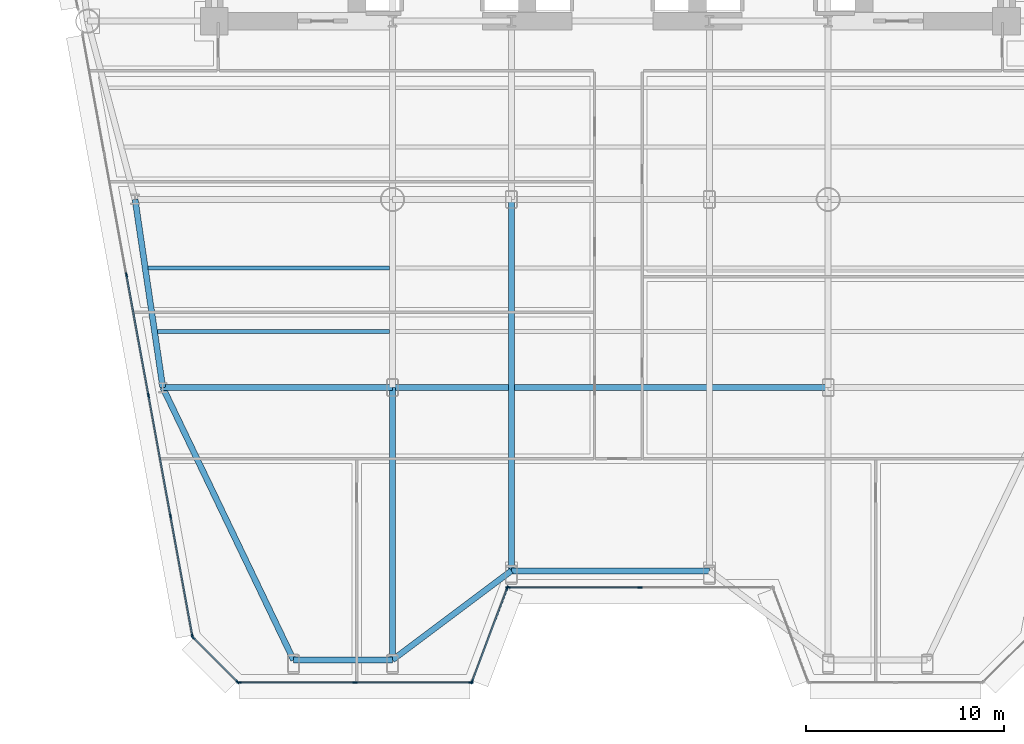
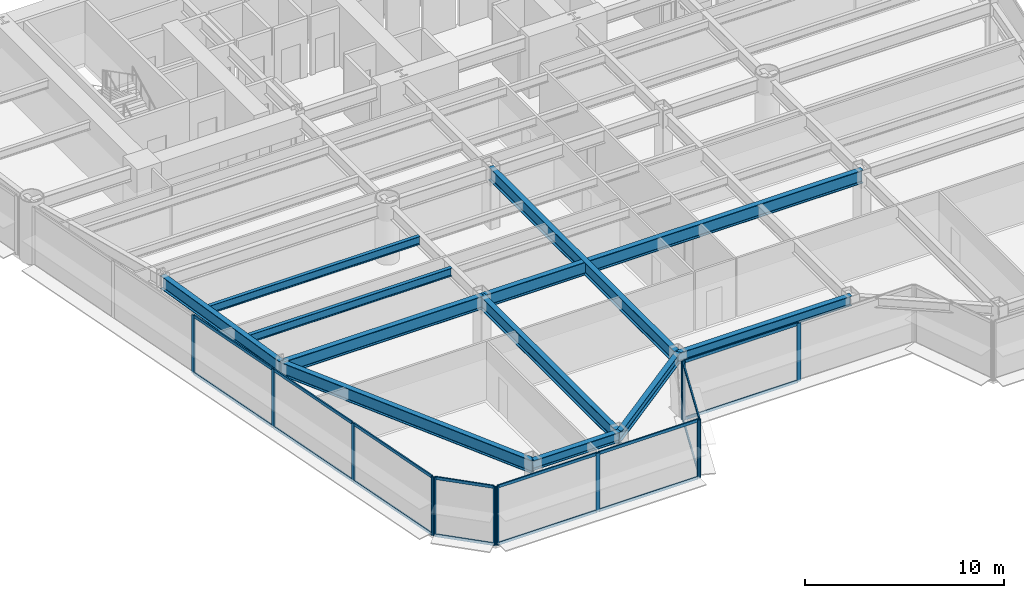
# One storey, part 2 of 14: 29 members, 11 beams, 5 elements without a shape of their own.
"""IFC4 building model written with IfcOpenShell, lengths in metres."""

from ifc_helpers import new_model, si_unit, direction, frame, origin, origin_2d, place, context, subcontext, project, spatial, rectangle, i_section, extrude, source, transform, mapped, material, layer, layer_set, material_profile, profile_set, type_object, element, aggregate, save


model = new_model("IFC4")

# Units and contexts
model_context = context("Model", 3, precision=1e-05, world=origin(), true_north=direction((0.0, 1.0)))
body_context = subcontext(model_context, "Body", "Model", "MODEL_VIEW")
ifc_project = project(units=[si_unit("LENGTHUNIT", "METRE"), si_unit("AREAUNIT", "SQUARE_METRE"), si_unit("VOLUMEUNIT", "CUBIC_METRE"), si_unit("PLANEANGLEUNIT", "RADIAN"), si_unit("MASSUNIT", "GRAM", prefix="KILO")], contexts=[model_context])

# Site, building, storey
site_placement = place(None, origin())
site = spatial("IfcSite", under=ifc_project, at=site_placement, CompositionType="ELEMENT")
building_placement = place(site_placement, origin())
building = spatial("IfcBuilding", under=site, at=building_placement, Name="Vaeldorn Concourse Tower", CompositionType="ELEMENT")
storey_placement = place(building_placement, frame((0.0, 0.0, 68.199951171875)))
storey = spatial("IfcBuildingStorey", under=building, at=storey_placement, Name="L17", CompositionType="ELEMENT", Elevation=68.199951171875)

# Beams
ifc_material_1 = material(Name="Steel S355", Category="steel")
ifc_material_profile_1 = material_profile(ifc_material_1, i_section(OverallWidth=0.300048828125, OverallDepth=0.60009765625, WebThickness=0.015380859375, FlangeThickness=0.030029296875, FilletRadius=0.027099609375, at=origin_2d()), Name="HEB 600")
ifc_profile_set_1 = profile_set([ifc_material_profile_1], Name="Steel S355")
beam_type_1 = type_object("IfcBeamType", Name="BM-SP-HEB600", PredefinedType="SPANDREL", material=ifc_profile_set_1)
shared_shape_1 = source(origin(), body_context, "Body", "SweptSolid", [
    extrude(i_section(OverallWidth=0.300048828125, OverallDepth=0.60009765625, WebThickness=0.015380859375, FlangeThickness=0.030029296875, FilletRadius=0.027099609375, at=origin_2d()), origin(), (0.0, 0.0, 1.0), 5.0),
])
beam_1_placement = place(storey_placement, frame((18.0, 4.2470703125, 3.280029296875), z_axis=(1.0, 0.0, 0.0), x_axis=(0.0, 1.0, 0.0)))
element("IfcBeam", 1, at=beam_1_placement, inside=storey, type_object=beam_type_1, Name="Beam BM-L17-C-SF1-C-SF2", PredefinedType="SPANDREL", context=body_context, shape_type="MappedRepresentation", body=[
    mapped(shared_shape_1, transform((0.0, 0.0, 0.0), scale=1.0)),
])
shared_shape_2 = source(origin(), body_context, "Body", "SweptSolid", [
    extrude(i_section(OverallWidth=0.300048828125, OverallDepth=0.60009765625, WebThickness=0.015380859375, FlangeThickness=0.030029296875, FilletRadius=0.027099609375, at=origin_2d()), origin(), (0.0, 0.0, 1.0), 7.5),
])
beam_2_placement = place(storey_placement, frame((23.0, 4.2470703125, 3.280029296875), z_axis=(0.8, 0.6, 0.0), x_axis=(-0.6, 0.8, 0.0)))
element("IfcBeam", 2, at=beam_2_placement, inside=storey, type_object=beam_type_1, Name="Beam BM-L17-C-SF2-C-SF3", PredefinedType="SPANDREL", context=body_context, shape_type="MappedRepresentation", body=[
    mapped(shared_shape_2, transform((0.0, 0.0, 0.0), scale=1.0)),
])
shared_shape_3 = source(origin(), body_context, "Body", "SweptSolid", [
    extrude(i_section(OverallWidth=0.300048828125, OverallDepth=0.60009765625, WebThickness=0.015380859375, FlangeThickness=0.030029296875, FilletRadius=0.027099609375, at=origin_2d()), origin(), (0.0, 0.0, 1.0), 10.0),
])
beam_3_placement = place(storey_placement, frame((29.0, 8.7470703125, 3.280029296875), z_axis=(1.0, 0.0, 0.0), x_axis=(0.0, 1.0, 0.0)))
element("IfcBeam", 3, at=beam_3_placement, inside=storey, type_object=beam_type_1, Name="Beam BM-L17-C-SF3-C-SF4", PredefinedType="SPANDREL", context=body_context, shape_type="MappedRepresentation", body=[
    mapped(shared_shape_3, transform((0.0, 0.0, 0.0), scale=1.0)),
])
ifc_material_profile_2 = material_profile(ifc_material_1, i_section(OverallWidth=0.300048828125, OverallDepth=0.800048828125, WebThickness=0.017578125, FlangeThickness=0.032958984375, FilletRadius=0.030029296875, at=origin_2d()), Name="HEB 800")
ifc_profile_set_2 = profile_set([ifc_material_profile_2], Name="Steel S355")
beam_type_2 = type_object("IfcBeamType", Name="BM-PG-HEB800", PredefinedType="BEAM", material=ifc_profile_set_2)
shared_shape_4 = source(origin(), body_context, "Body", "SweptSolid", [
    extrude(i_section(OverallWidth=0.300048828125, OverallDepth=0.800048828125, WebThickness=0.017578125, FlangeThickness=0.032958984375, FilletRadius=0.030029296875, at=origin_2d()), origin(), (0.0, 0.0, 1.0), 9.6025390625),
])
beam_4_placement = place(storey_placement, frame((10.0, 27.5, 3.179931640625), z_axis=(0.145783835977, -0.989316467652, 0.0), x_axis=(0.989316467652, 0.145783835977, 0.0)))
element("IfcBeam", 4, at=beam_4_placement, inside=storey, type_object=beam_type_2, Name="Beam BM-L17-C-FLW1-C-FLW2", PredefinedType="BEAM", context=body_context, shape_type="MappedRepresentation", body=[
    mapped(shared_shape_4, transform((0.0, 0.0, 0.0), scale=1.0)),
])
shared_shape_5 = source(origin(), body_context, "Body", "SweptSolid", [
    extrude(i_section(OverallWidth=0.300048828125, OverallDepth=0.800048828125, WebThickness=0.017578125, FlangeThickness=0.032958984375, FilletRadius=0.030029296875, at=origin_2d()), origin(), (0.0, 0.0, 1.0), 11.60009765625),
])
beam_5_placement = place(storey_placement, frame((11.39990234375, 18.0, 3.179931640625), z_axis=(1.0, 0.0, 0.0), x_axis=(0.0, 1.0, 0.0)))
element("IfcBeam", 5, at=beam_5_placement, inside=storey, type_object=beam_type_2, Name="Beam BM-L17-C-FLW2-C-TW5", PredefinedType="BEAM", context=body_context, shape_type="MappedRepresentation", body=[
    mapped(shared_shape_5, transform((0.0, 0.0, 0.0), scale=1.0)),
])
shared_shape_6 = source(origin(), body_context, "Body", "SweptSolid", [
    extrude(i_section(OverallWidth=0.300048828125, OverallDepth=0.800048828125, WebThickness=0.017578125, FlangeThickness=0.032958984375, FilletRadius=0.030029296875, at=origin_2d()), origin(), (0.0, 0.0, 1.0), 22.0),
])
beam_6_placement = place(storey_placement, frame((23.0, 18.0, 3.179931640625), z_axis=(1.0, 0.0, 0.0), x_axis=(0.0, 1.0, 0.0)))
element("IfcBeam", 6, at=beam_6_placement, inside=storey, type_object=beam_type_2, Name="Beam BM-L17-C-TW5-C-TW6", PredefinedType="BEAM", context=body_context, shape_type="MappedRepresentation", body=[
    mapped(shared_shape_6, transform((0.0, 0.0, 0.0), scale=1.0)),
])
shared_shape_7 = source(origin(), body_context, "Body", "SweptSolid", [
    extrude(i_section(OverallWidth=0.300048828125, OverallDepth=0.800048828125, WebThickness=0.017578125, FlangeThickness=0.032958984375, FilletRadius=0.030029296875, at=origin_2d()), origin(), (0.0, 0.0, 1.0), 15.254638671875),
])
beam_7_placement = place(storey_placement, frame((18.0, 4.2470703125, 3.179931640625), z_axis=(-0.432661346471, 0.901556520286, 0.0), x_axis=(-0.901556520286, -0.432661346471, 0.0)))
element("IfcBeam", 7, at=beam_7_placement, inside=storey, type_object=beam_type_2, Name="Beam BM-L17-C-SF1-C-FLW2", PredefinedType="BEAM", context=body_context, shape_type="MappedRepresentation", body=[
    mapped(shared_shape_7, transform((0.0, 0.0, 0.0), scale=1.0)),
])
shared_shape_8 = source(origin(), body_context, "Body", "SweptSolid", [
    extrude(i_section(OverallWidth=0.300048828125, OverallDepth=0.800048828125, WebThickness=0.017578125, FlangeThickness=0.032958984375, FilletRadius=0.030029296875, at=origin_2d()), origin(), (0.0, 0.0, 1.0), 13.7529296875),
])
beam_8_placement = place(storey_placement, frame((23.0, 4.2470703125, 3.179931640625), z_axis=(0.0, 1.0, 0.0), x_axis=(-1.0, 0.0, 0.0)))
element("IfcBeam", 8, at=beam_8_placement, inside=storey, type_object=beam_type_2, Name="Beam BM-L17-C-SF2-C-TW5", PredefinedType="BEAM", context=body_context, shape_type="MappedRepresentation", body=[
    mapped(shared_shape_8, transform((0.0, 0.0, 0.0), scale=1.0)),
])
shared_shape_9 = source(origin(), body_context, "Body", "SweptSolid", [
    extrude(i_section(OverallWidth=0.300048828125, OverallDepth=0.800048828125, WebThickness=0.017578125, FlangeThickness=0.032958984375, FilletRadius=0.030029296875, at=origin_2d()), origin(), (0.0, 0.0, 1.0), 18.7529296875),
])
beam_9_placement = place(storey_placement, frame((29.0, 8.7470703125, 3.179931640625), z_axis=(0.0, 1.0, 0.0), x_axis=(-1.0, 0.0, 0.0)))
element("IfcBeam", 9, at=beam_9_placement, inside=storey, type_object=beam_type_2, Name="Beam BM-L17-C-SF3-C-TW2", PredefinedType="BEAM", context=body_context, shape_type="MappedRepresentation", body=[
    mapped(shared_shape_9, transform((0.0, 0.0, 0.0), scale=1.0)),
])
ifc_material_profile_3 = material_profile(ifc_material_1, i_section(OverallWidth=0.199951171875, OverallDepth=0.5, WebThickness=0.01025390625, FlangeThickness=0.01611328125, FilletRadius=0.02099609375, at=origin_2d()), Name="IPE 500")
ifc_profile_set_3 = profile_set([ifc_material_profile_3], Name="Steel S355")
beam_type_3 = type_object("IfcBeamType", Name="BM-JS-IPE500", PredefinedType="JOIST", material=ifc_profile_set_3)
shared_shape_10 = source(origin(), body_context, "Body", "SweptSolid", [
    extrude(i_section(OverallWidth=0.199951171875, OverallDepth=0.5, WebThickness=0.01025390625, FlangeThickness=0.01611328125, FilletRadius=0.02099609375, at=origin_2d()), origin(), (0.0, 0.0, 1.0), 11.718505859375),
])
beam_10_placement = place(storey_placement, frame((11.131591796875, 20.840087890625, 3.330078125), z_axis=(1.0, 0.0, 0.0), x_axis=(0.0, 1.0, 0.0)))
element("IfcBeam", 10, at=beam_10_placement, inside=storey, type_object=beam_type_3, Name="Beam JS-L17-W1-208", PredefinedType="JOIST", context=body_context, shape_type="MappedRepresentation", body=[
    mapped(shared_shape_10, transform((0.0, 0.0, 0.0), scale=1.0)),
])
shared_shape_11 = source(origin(), body_context, "Body", "SweptSolid", [
    extrude(i_section(OverallWidth=0.199951171875, OverallDepth=0.5, WebThickness=0.01025390625, FlangeThickness=0.01611328125, FilletRadius=0.02099609375, at=origin_2d()), origin(), (0.0, 0.0, 1.0), 12.190185546875),
])
beam_11_placement = place(storey_placement, frame((10.659912109375, 24.0400390625, 3.330078125), z_axis=(1.0, 0.0, 0.0), x_axis=(0.0, 1.0, 0.0)))
element("IfcBeam", 11, at=beam_11_placement, inside=storey, type_object=beam_type_3, Name="Beam JS-L17-W1-240", PredefinedType="JOIST", context=body_context, shape_type="MappedRepresentation", body=[
    mapped(shared_shape_11, transform((0.0, 0.0, 0.0), scale=1.0)),
])

# Curtain wall, members
ifc_material_2 = material(Name="Anodised Bronze Aluminium", Category="aluminium")
ifc_layer = layer(ifc_material_2, 0.219970703125)
ifc_layer_set = layer_set([ifc_layer], Name="Anodised Bronze Aluminium")
curtain_wall_type = type_object("IfcCurtainWallType", Name="CW-SYS-01", PredefinedType="NOTDEFINED", material=ifc_layer_set)
curtain_wall_1_placement = place(storey_placement, origin())
curtain_wall_1 = element("IfcCurtainWall", 12, at=curtain_wall_1_placement, inside=storey, type_object=curtain_wall_type, Name="Unitised Curtain Wall CW-L17-E03-1", PredefinedType="NOTDEFINED")
ifc_material_profile_4 = material_profile(ifc_material_2, rectangle(XDim=0.074951171875, YDim=0.179931640625, at=origin_2d()), Name="CWT 75x180")
ifc_profile_set_4 = profile_set([ifc_material_profile_4], Name="Anodised Bronze Aluminium")
member_type_1 = type_object("IfcMemberType", Name="CWT-BRONZE-180", PredefinedType="USERDEFINED", material=ifc_profile_set_4)
shared_shape_12 = source(origin(), body_context, "Body", "SweptSolid", [
    extrude(rectangle(XDim=0.074951171875, YDim=0.179931640625, at=origin_2d()), origin(), (0.0, 0.0, 1.0), 6.58740234375),
])
member_1_placement = place(storey_placement, frame((28.875, 7.907958984375, 0.03759765625), z_axis=(1.0, 0.0, 0.0), x_axis=(0.0, 1.0, 0.0)))
member_1 = element("IfcMember", 13, at=member_1_placement, type_object=member_type_1, Name="CW-01 transom 1.1", ObjectType="TRANSOM", PredefinedType="USERDEFINED", context=body_context, shape_type="MappedRepresentation", body=[
    mapped(shared_shape_12, transform((0.0, 0.0, 0.0), scale=1.0)),
])
member_2_placement = place(storey_placement, frame((28.875, 7.907958984375, 3.54248046875), z_axis=(1.0, 0.0, 0.0), x_axis=(0.0, 1.0, 0.0)))
member_2 = element("IfcMember", 14, at=member_2_placement, type_object=member_type_1, Name="CW-01 transom 1.2", ObjectType="TRANSOM", PredefinedType="USERDEFINED", context=body_context, shape_type="MappedRepresentation", body=[
    mapped(shared_shape_12, transform((0.0, 0.0, 0.0), scale=1.0)),
])

curtain_wall_2_placement = place(storey_placement, origin())
curtain_wall_2 = element("IfcCurtainWall", 15, at=curtain_wall_2_placement, inside=storey, type_object=curtain_wall_type, Name="Unitised Curtain Wall CW-L17-E02-1", PredefinedType="NOTDEFINED")
shared_shape_13 = source(origin(), body_context, "Body", "SweptSolid", [
    extrude(rectangle(XDim=0.074951171875, YDim=0.179931640625, at=origin_2d()), origin(), (0.0, 0.0, 1.0), 4.9765625),
])
member_3_placement = place(storey_placement, frame((27.0263671875, 3.17822265625, 0.03759765625), z_axis=(0.351112688987, 0.936333209724, 0.0), x_axis=(-0.936333209724, 0.351112688987, 0.0)))
member_3 = element("IfcMember", 16, at=member_3_placement, type_object=member_type_1, Name="CW-01 transom 1.1", ObjectType="TRANSOM", PredefinedType="USERDEFINED", context=body_context, shape_type="MappedRepresentation", body=[
    mapped(shared_shape_13, transform((0.0, 0.0, 0.0), scale=1.0)),
])
member_4_placement = place(storey_placement, frame((27.0263671875, 3.17822265625, 3.54248046875), z_axis=(0.351112688987, 0.936333209724, 0.0), x_axis=(-0.936333209724, 0.351112688987, 0.0)))
member_4 = element("IfcMember", 17, at=member_4_placement, type_object=member_type_1, Name="CW-01 transom 1.2", ObjectType="TRANSOM", PredefinedType="USERDEFINED", context=body_context, shape_type="MappedRepresentation", body=[
    mapped(shared_shape_13, transform((0.0, 0.0, 0.0), scale=1.0)),
])

curtain_wall_3_placement = place(storey_placement, origin())
curtain_wall_3 = element("IfcCurtainWall", 18, at=curtain_wall_3_placement, inside=storey, type_object=curtain_wall_type, Name="Unitised Curtain Wall CW-L17-E01-1", PredefinedType="NOTDEFINED")
ifc_material_profile_5 = material_profile(ifc_material_2, rectangle(XDim=0.074951171875, YDim=0.219970703125, at=origin_2d()), Name="CWM 75x220")
ifc_profile_set_5 = profile_set([ifc_material_profile_5], Name="Anodised Bronze Aluminium")
member_type_2 = type_object("IfcMemberType", Name="CWM-BRONZE-220", PredefinedType="MULLION", material=ifc_profile_set_5)
shared_shape_14 = source(origin(), body_context, "Body", "SweptSolid", [
    extrude(rectangle(XDim=0.074951171875, YDim=0.219970703125, at=origin_2d()), origin(), (0.0, 0.0, 1.0), 3.580078125),
])
member_5_placement = place(storey_placement, frame((15.23974609375, 3.10791015625, 0.0), z_axis=(0.0, 0.0, 1.0), x_axis=(0.0, 1.0, 0.0)))
member_5 = element("IfcMember", 19, at=member_5_placement, type_object=member_type_2, Name="CW-01 mullion 1", PredefinedType="MULLION", context=body_context, shape_type="MappedRepresentation", body=[
    mapped(shared_shape_14, transform((0.0, 0.0, 0.0), scale=1.0)),
])
member_6_placement = place(storey_placement, frame((21.10107421875, 3.10791015625, 0.0), z_axis=(0.0, 0.0, 1.0), x_axis=(0.0, 1.0, 0.0)))
member_6 = element("IfcMember", 20, at=member_6_placement, type_object=member_type_2, Name="CW-01 mullion 2", PredefinedType="MULLION", context=body_context, shape_type="MappedRepresentation", body=[
    mapped(shared_shape_14, transform((0.0, 0.0, 0.0), scale=1.0)),
])
member_7_placement = place(storey_placement, frame((26.96240234375, 3.10791015625, 0.0), z_axis=(0.0, 0.0, 1.0), x_axis=(0.0, 1.0, 0.0)))
member_7 = element("IfcMember", 21, at=member_7_placement, type_object=member_type_2, Name="CW-01 mullion 3", PredefinedType="MULLION", context=body_context, shape_type="MappedRepresentation", body=[
    mapped(shared_shape_14, transform((0.0, 0.0, 0.0), scale=1.0)),
])

# Member
member_8_placement = place(storey_placement, frame((27.01318359375, 3.14306640625, 0.0), z_axis=(0.0, 0.0, 1.0), x_axis=(-0.936329177566, 0.351123441595, 0.0)))
member_8 = element("IfcMember", 22, at=member_8_placement, type_object=member_type_2, Name="CW-01 mullion 1", PredefinedType="MULLION", context=body_context, shape_type="MappedRepresentation", body=[
    mapped(shared_shape_14, transform((0.0, 0.0, 0.0), scale=1.0)),
])

member_9_placement = place(storey_placement, frame((28.786865234375, 7.872802734375, 0.0), z_axis=(0.0, 0.0, 1.0), x_axis=(-0.936329177566, 0.351123441595, 0.0)))
member_9 = element("IfcMember", 23, at=member_9_placement, type_object=member_type_2, Name="CW-01 mullion 2", PredefinedType="MULLION", context=body_context, shape_type="MappedRepresentation", body=[
    mapped(shared_shape_14, transform((0.0, 0.0, 0.0), scale=1.0)),
])

aggregate(curtain_wall_2, [member_8, member_9, member_3, member_4])

member_10_placement = place(storey_placement, frame((28.83740234375, 7.907958984375, 0.0), z_axis=(0.0, 0.0, 1.0), x_axis=(0.0, 1.0, 0.0)))
member_10 = element("IfcMember", 24, at=member_10_placement, type_object=member_type_2, Name="CW-01 mullion 1", PredefinedType="MULLION", context=body_context, shape_type="MappedRepresentation", body=[
    mapped(shared_shape_14, transform((0.0, 0.0, 0.0), scale=1.0)),
])

member_11_placement = place(storey_placement, frame((35.5, 7.907958984375, 0.0), z_axis=(0.0, 0.0, 1.0), x_axis=(0.0, 1.0, 0.0)))
member_11 = element("IfcMember", 25, at=member_11_placement, type_object=member_type_2, Name="CW-01 mullion 2", PredefinedType="MULLION", context=body_context, shape_type="MappedRepresentation", body=[
    mapped(shared_shape_14, transform((0.0, 0.0, 0.0), scale=1.0)),
])

aggregate(curtain_wall_1, [member_10, member_11, member_1, member_2])

# Curtain wall, members
curtain_wall_4_placement = place(storey_placement, origin())
curtain_wall_4 = element("IfcCurtainWall", 26, at=curtain_wall_4_placement, inside=storey, type_object=curtain_wall_type, Name="Unitised Curtain Wall CW-L17-E11-2", PredefinedType="NOTDEFINED")
member_12_placement = place(storey_placement, frame((9.56494140625, 23.69140625, 0.0), z_axis=(0.0, 0.0, 1.0), x_axis=(0.983746121623, 0.179564941431, 0.0)))
member_12 = element("IfcMember", 27, at=member_12_placement, type_object=member_type_2, Name="CW-01 mullion 3", PredefinedType="MULLION", context=body_context, shape_type="MappedRepresentation", body=[
    mapped(shared_shape_14, transform((0.0, 0.0, 0.0), scale=1.0)),
])
member_13_placement = place(storey_placement, frame((10.67724609375, 17.596923828125, 0.0), z_axis=(0.0, 0.0, 1.0), x_axis=(0.983746121623, 0.179564941431, 0.0)))
member_13 = element("IfcMember", 28, at=member_13_placement, type_object=member_type_2, Name="CW-01 mullion 4", PredefinedType="MULLION", context=body_context, shape_type="MappedRepresentation", body=[
    mapped(shared_shape_14, transform((0.0, 0.0, 0.0), scale=1.0)),
])
member_14_placement = place(storey_placement, frame((11.789794921875, 11.50244140625, 0.0), z_axis=(0.0, 0.0, 1.0), x_axis=(0.983746121623, 0.179564941431, 0.0)))
member_14 = element("IfcMember", 29, at=member_14_placement, type_object=member_type_2, Name="CW-01 mullion 5", PredefinedType="MULLION", context=body_context, shape_type="MappedRepresentation", body=[
    mapped(shared_shape_14, transform((0.0, 0.0, 0.0), scale=1.0)),
])
member_15_placement = place(storey_placement, frame((12.8955078125, 5.44482421875, 0.0), z_axis=(0.0, 0.0, 1.0), x_axis=(0.983746121623, 0.179564941431, 0.0)))
member_15 = element("IfcMember", 30, at=member_15_placement, type_object=member_type_2, Name="CW-01 mullion 6", PredefinedType="MULLION", context=body_context, shape_type="MappedRepresentation", body=[
    mapped(shared_shape_14, transform((0.0, 0.0, 0.0), scale=1.0)),
])

curtain_wall_5_placement = place(storey_placement, origin())
curtain_wall_5 = element("IfcCurtainWall", 31, at=curtain_wall_5_placement, inside=storey, type_object=curtain_wall_type, Name="Unitised Curtain Wall CW-L17-E12-1", PredefinedType="NOTDEFINED")
member_16_placement = place(storey_placement, frame((12.9287109375, 5.381591796875, 0.0), z_axis=(0.0, 0.0, 1.0), x_axis=(0.707106781187, 0.707106781187, 0.0)))
member_16 = element("IfcMember", 32, at=member_16_placement, type_object=member_type_2, Name="CW-01 mullion 1", PredefinedType="MULLION", context=body_context, shape_type="MappedRepresentation", body=[
    mapped(shared_shape_14, transform((0.0, 0.0, 0.0), scale=1.0)),
])
member_17_placement = place(storey_placement, frame((15.17578125, 3.134521484375, 0.0), z_axis=(0.0, 0.0, 1.0), x_axis=(0.707106781187, 0.707106781187, 0.0)))
member_17 = element("IfcMember", 33, at=member_17_placement, type_object=member_type_2, Name="CW-01 mullion 2", PredefinedType="MULLION", context=body_context, shape_type="MappedRepresentation", body=[
    mapped(shared_shape_14, transform((0.0, 0.0, 0.0), scale=1.0)),
])
shared_shape_15 = source(origin(), body_context, "Body", "SweptSolid", [
    extrude(rectangle(XDim=0.074951171875, YDim=0.179931640625, at=origin_2d()), origin(), (0.0, 0.0, 1.0), 3.1025390625),
])
member_18_placement = place(storey_placement, frame((12.955322265625, 5.35498046875, 0.03759765625), z_axis=(0.707106781187, -0.707106781187, 0.0), x_axis=(0.707106781187, 0.707106781187, 0.0)))
member_18 = element("IfcMember", 34, at=member_18_placement, type_object=member_type_1, Name="CW-01 transom 1.1", ObjectType="TRANSOM", PredefinedType="USERDEFINED", context=body_context, shape_type="MappedRepresentation", body=[
    mapped(shared_shape_15, transform((0.0, 0.0, 0.0), scale=1.0)),
])
member_19_placement = place(storey_placement, frame((12.955322265625, 5.35498046875, 3.54248046875), z_axis=(0.707106781187, -0.707106781187, 0.0), x_axis=(0.707106781187, 0.707106781187, 0.0)))
member_19 = element("IfcMember", 35, at=member_19_placement, type_object=member_type_1, Name="CW-01 transom 1.2", ObjectType="TRANSOM", PredefinedType="USERDEFINED", context=body_context, shape_type="MappedRepresentation", body=[
    mapped(shared_shape_15, transform((0.0, 0.0, 0.0), scale=1.0)),
])
aggregate(curtain_wall_5, [member_16, member_17, member_18, member_19])

# Member
shared_shape_16 = source(origin(), body_context, "Body", "SweptSolid", [
    extrude(rectangle(XDim=0.074951171875, YDim=0.179931640625, at=origin_2d()), origin(), (0.0, 0.0, 1.0), 5.78662109375),
])
member_20_placement = place(storey_placement, frame((15.277099609375, 3.10791015625, 0.03759765625), z_axis=(1.0, 0.0, 0.0), x_axis=(0.0, 1.0, 0.0)))
member_20 = element("IfcMember", 36, at=member_20_placement, type_object=member_type_1, Name="CW-01 transom 1.1", ObjectType="TRANSOM", PredefinedType="USERDEFINED", context=body_context, shape_type="MappedRepresentation", body=[
    mapped(shared_shape_16, transform((0.0, 0.0, 0.0), scale=1.0)),
])

member_21_placement = place(storey_placement, frame((15.277099609375, 3.10791015625, 3.54248046875), z_axis=(1.0, 0.0, 0.0), x_axis=(0.0, 1.0, 0.0)))
member_21 = element("IfcMember", 37, at=member_21_placement, type_object=member_type_1, Name="CW-01 transom 1.2", ObjectType="TRANSOM", PredefinedType="USERDEFINED", context=body_context, shape_type="MappedRepresentation", body=[
    mapped(shared_shape_16, transform((0.0, 0.0, 0.0), scale=1.0)),
])

shared_shape_17 = source(origin(), body_context, "Body", "SweptSolid", [
    extrude(rectangle(XDim=0.074951171875, YDim=0.179931640625, at=origin_2d()), origin(), (0.0, 0.0, 1.0), 5.786376953125),
])
member_22_placement = place(storey_placement, frame((21.138671875, 3.10791015625, 0.03759765625), z_axis=(1.0, 0.0, 0.0), x_axis=(0.0, 1.0, 0.0)))
member_22 = element("IfcMember", 38, at=member_22_placement, type_object=member_type_1, Name="CW-01 transom 2.1", ObjectType="TRANSOM", PredefinedType="USERDEFINED", context=body_context, shape_type="MappedRepresentation", body=[
    mapped(shared_shape_17, transform((0.0, 0.0, 0.0), scale=1.0)),
])

member_23_placement = place(storey_placement, frame((21.138671875, 3.10791015625, 3.54248046875), z_axis=(1.0, 0.0, 0.0), x_axis=(0.0, 1.0, 0.0)))
member_23 = element("IfcMember", 39, at=member_23_placement, type_object=member_type_1, Name="CW-01 transom 2.2", ObjectType="TRANSOM", PredefinedType="USERDEFINED", context=body_context, shape_type="MappedRepresentation", body=[
    mapped(shared_shape_17, transform((0.0, 0.0, 0.0), scale=1.0)),
])

aggregate(curtain_wall_3, [member_5, member_6, member_7, member_20, member_21, member_22, member_23])

shared_shape_18 = source(origin(), body_context, "Body", "SweptSolid", [
    extrude(rectangle(XDim=0.074951171875, YDim=0.179931640625, at=origin_2d()), origin(), (0.0, 0.0, 1.0), 6.082763671875),
])
member_24_placement = place(storey_placement, frame((11.79638671875, 11.465576171875, 0.03759765625), z_axis=(0.179570604778, -0.983745087866, 0.0), x_axis=(0.983745087866, 0.179570604778, 0.0)))
member_24 = element("IfcMember", 40, at=member_24_placement, type_object=member_type_1, Name="CW-01 transom 5.1", ObjectType="TRANSOM", PredefinedType="USERDEFINED", context=body_context, shape_type="MappedRepresentation", body=[
    mapped(shared_shape_18, transform((0.0, 0.0, 0.0), scale=1.0)),
])

member_25_placement = place(storey_placement, frame((11.79638671875, 11.465576171875, 3.54248046875), z_axis=(0.179570604778, -0.983745087866, 0.0), x_axis=(0.983745087866, 0.179570604778, 0.0)))
member_25 = element("IfcMember", 41, at=member_25_placement, type_object=member_type_1, Name="CW-01 transom 5.2", ObjectType="TRANSOM", PredefinedType="USERDEFINED", context=body_context, shape_type="MappedRepresentation", body=[
    mapped(shared_shape_18, transform((0.0, 0.0, 0.0), scale=1.0)),
])

shared_shape_19 = source(origin(), body_context, "Body", "SweptSolid", [
    extrude(rectangle(XDim=0.074951171875, YDim=0.179931640625, at=origin_2d()), origin(), (0.0, 0.0, 1.0), 6.1201171875),
])
member_26_placement = place(storey_placement, frame((10.68408203125, 17.56005859375, 0.03759765625), z_axis=(0.179548862687, -0.983749056369, 0.0), x_axis=(0.983749056369, 0.179548862687, 0.0)))
member_26 = element("IfcMember", 42, at=member_26_placement, type_object=member_type_1, Name="CW-01 transom 4.1", ObjectType="TRANSOM", PredefinedType="USERDEFINED", context=body_context, shape_type="MappedRepresentation", body=[
    mapped(shared_shape_19, transform((0.0, 0.0, 0.0), scale=1.0)),
])

member_27_placement = place(storey_placement, frame((10.68408203125, 17.56005859375, 3.54248046875), z_axis=(0.179548862687, -0.983749056369, 0.0), x_axis=(0.983749056369, 0.179548862687, 0.0)))
member_27 = element("IfcMember", 43, at=member_27_placement, type_object=member_type_1, Name="CW-01 transom 4.2", ObjectType="TRANSOM", PredefinedType="USERDEFINED", context=body_context, shape_type="MappedRepresentation", body=[
    mapped(shared_shape_19, transform((0.0, 0.0, 0.0), scale=1.0)),
])

shared_shape_20 = source(origin(), body_context, "Body", "SweptSolid", [
    extrude(rectangle(XDim=0.074951171875, YDim=0.179931640625, at=origin_2d()), origin(), (0.0, 0.0, 1.0), 6.120361328125),
])
member_28_placement = place(storey_placement, frame((9.571533203125, 23.654541015625, 0.03759765625), z_axis=(0.179587467161, -0.983742009695, 0.0), x_axis=(0.983742009695, 0.179587467161, 0.0)))
member_28 = element("IfcMember", 44, at=member_28_placement, type_object=member_type_1, Name="CW-01 transom 3.1", ObjectType="TRANSOM", PredefinedType="USERDEFINED", context=body_context, shape_type="MappedRepresentation", body=[
    mapped(shared_shape_20, transform((0.0, 0.0, 0.0), scale=1.0)),
])

member_29_placement = place(storey_placement, frame((9.571533203125, 23.654541015625, 3.54248046875), z_axis=(0.179587467161, -0.983742009695, 0.0), x_axis=(0.983742009695, 0.179587467161, 0.0)))
member_29 = element("IfcMember", 45, at=member_29_placement, type_object=member_type_1, Name="CW-01 transom 3.2", ObjectType="TRANSOM", PredefinedType="USERDEFINED", context=body_context, shape_type="MappedRepresentation", body=[
    mapped(shared_shape_20, transform((0.0, 0.0, 0.0), scale=1.0)),
])

aggregate(curtain_wall_4, [member_12, member_13, member_14, member_15, member_28, member_29, member_26, member_27, member_24, member_25])

save(model, "model.ifc")
